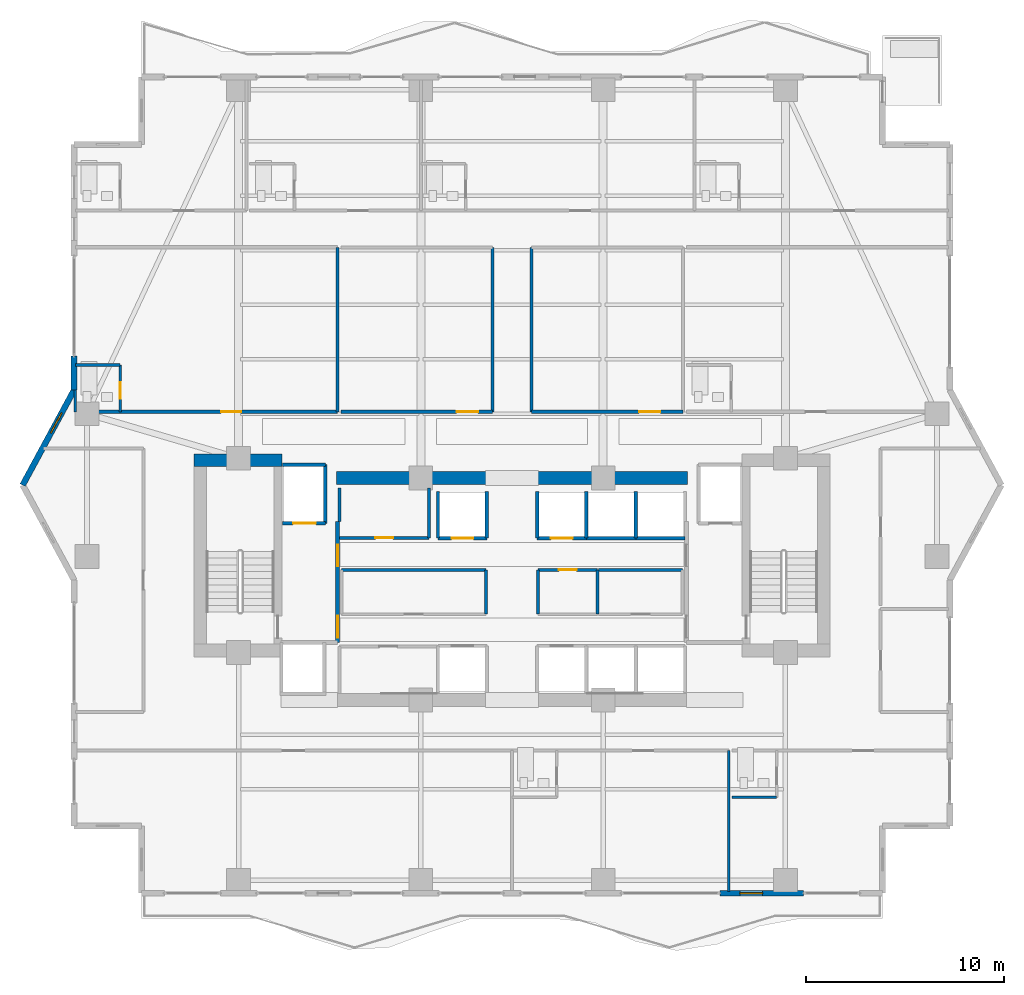
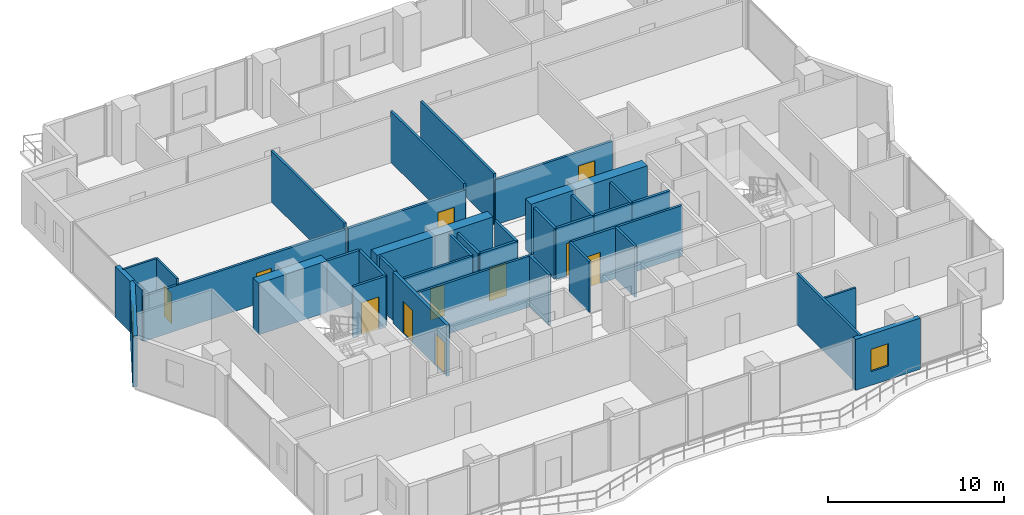
# One storey, part 26 of 33: 39 walls, 11 doors, 2 windows, 13 openings.
"""IFC4 building model written with IfcOpenShell, lengths in metres."""

from ifc_helpers import new_model, si_unit, direction, frame, frame_2d, origin, place, context, subcontext, project, spatial, rectangle, extrude, material, layer, layer_set, type_object, element, fill, save


model = new_model("IFC4")

# Units and contexts
model_context = context("Model", 3, precision=1e-05, world=origin(), true_north=direction((0.0, 1.0)))
body_context = subcontext(model_context, "Body", "Model", "MODEL_VIEW")
ifc_project = project(units=[si_unit("LENGTHUNIT", "METRE"), si_unit("AREAUNIT", "SQUARE_METRE"), si_unit("VOLUMEUNIT", "CUBIC_METRE"), si_unit("PLANEANGLEUNIT", "RADIAN"), si_unit("MASSUNIT", "GRAM", prefix="KILO")], contexts=[model_context])

# Site, building, storey
site_placement = place(None, origin())
site = spatial("IfcSite", under=ifc_project, at=site_placement, CompositionType="ELEMENT")
building_placement = place(site_placement, origin())
building = spatial("IfcBuilding", under=site, at=building_placement, Name="Zuhayl Quay Hotel", CompositionType="ELEMENT")
storey_placement = place(building_placement, frame((0.0, 0.0, 214.89990234375)))
storey = spatial("IfcBuildingStorey", under=building, at=storey_placement, Name="L54", CompositionType="ELEMENT", Elevation=214.89990234375)

# Walls
ifc_material_1 = material(Name="Concrete C50/60", Category="concrete")
ifc_layer_1 = layer(ifc_material_1, 0.64990234375, Name="Concrete C50/60", Category="concrete")
ifc_layer_set_1 = layer_set([ifc_layer_1], Name="Concrete C50/60")
wall_type_1 = type_object("IfcWallType", Name="WL_CORE_650", PredefinedType="SHEAR", material=ifc_layer_set_1)
wall_1_placement = place(storey_placement, frame((-16.06005859375, 14.2548828125, 0.0), z_axis=(0.0, 0.0, 1.0), x_axis=(1.0, 0.0, 0.0)))
element("IfcWall", 1, at=wall_1_placement, inside=storey, type_object=wall_type_1, Name="L54 Core Shear Wall CW_NW", PredefinedType="SHEAR", context=body_context, shape_type="SweptSolid", body=[
    extrude(rectangle(XDim=4.4599609375, YDim=0.64990234375, at=frame_2d((2.22998046875, 0.0))), origin(), (0.0, 0.0, 1.0), 3.56005859375),
])
for number, where, z_axis, x_axis, name in (
    (2, (-8.85009765625, 13.35009765625, 0.0), (0.0, 0.0, 1.0), (1.0, 0.0, 0.0), "L54 Core Shear Wall CW_NC_W"),
    (3, (1.25, 13.35009765625, 0.0), (0.0, 0.0, 1.0), (1.0, 0.0, 0.0), "L54 Core Shear Wall CW_NC_E"),
):
    element("IfcWall", number, at=place(storey_placement, frame(where, z_axis=z_axis, x_axis=x_axis)), inside=storey, type_object=wall_type_1, Name=name, PredefinedType="SHEAR", context=body_context, shape_type="SweptSolid", body=[
        extrude(rectangle(XDim=7.60009765625, YDim=0.64990234375, at=frame_2d((3.800048828125, 0.0))), origin(), (0.0, 0.0, 1.0), 3.530029296875),
    ])

# Wall, opening, window
ifc_material_2 = material(Name="Precast concrete C45/55", Category="concrete")
ifc_layer_2 = layer(ifc_material_2, 0.300048828125, Name="Precast concrete C45/55", Category="concrete")
ifc_layer_set_2 = layer_set([ifc_layer_2], Name="Precast concrete C45/55")
wall_type_2 = type_object("IfcWallType", Name="WL_EXT_300", PredefinedType="STANDARD", material=ifc_layer_set_2)
wall_2_placement = place(storey_placement, frame((-24.699951171875, 13.0, 0.0), z_axis=(0.0, 0.0, 1.0), x_axis=(0.476258655584, 0.879305233114, 0.0)))
wall_2 = element("IfcWall", 4, at=wall_2_placement, inside=storey, type_object=wall_type_2, Name="L54 Exterior Precast Wall ENV_L54_EW04", PredefinedType="STANDARD", context=body_context, shape_type="SweptSolid", body=[
    extrude(rectangle(XDim=5.458984375, YDim=0.300048828125, at=frame_2d((2.7294921875, 0.0))), origin(), (0.0, 0.0, 1.0), 3.530029296875),
])
opening_1_placement = place(wall_2_placement, frame((2.9931640625, 0.0, 1.25)))
opening_1 = element("IfcOpeningElement", 5, at=opening_1_placement, cuts=wall_2, Name="Opening W01N", PredefinedType="OPENING", context=body_context, shape_type="SweptSolid", body=[
    extrude(rectangle(XDim=1.14990234375, YDim=1.550048828125, at=frame_2d((0.574951171875, 0.77490234375))), frame((0.0, 0.159912109375, 0.0), z_axis=(0.0, -1.0, 0.0), x_axis=(1.0, 0.0, 0.0)), (0.0, 0.0, 1.0), 0.320068359375),
])
ifc_material_3 = material(Name="Dark Ceramic-Fritted Solar Glass", Category="glass")
window_type = type_object("IfcWindowType", Name="WN_NOTCH_1350", PartitioningType="SINGLE_PANEL", PredefinedType="WINDOW", material=ifc_material_3)
window_1_placement = place(opening_1_placement, origin())
window_1 = element("IfcWindow", 6, at=window_1_placement, inside=storey, type_object=window_type, Name="L54 Corner Notch Window 4", OverallHeight=1.550048828125, OverallWidth=1.14990234375, PartitioningType="SINGLE_PANEL", PredefinedType="WINDOW", context=body_context, shape_type="SweptSolid", body=[
    extrude(rectangle(XDim=1.14990234375, YDim=1.550048828125, at=frame_2d((0.574951171875, 0.77490234375))), frame((0.0, 0.030029296875, 0.0), z_axis=(0.0, -1.0, 0.0), x_axis=(1.0, 0.0, 0.0)), (0.0, 0.0, 1.0), 0.06005859375),
])
fill(opening_1, window_1)

# Wall
wall_3_placement = place(storey_placement, frame((-22.10009765625, 17.800048828125, 0.0), z_axis=(0.0, 0.0, 1.0), x_axis=(0.0, 1.0, 0.0)))
element("IfcWall", 7, at=wall_3_placement, inside=storey, type_object=wall_type_2, Name="L54 Exterior Precast Wall ENV_L54_E05_EW1", PredefinedType="STANDARD", context=body_context, shape_type="SweptSolid", body=[
    extrude(rectangle(XDim=1.7099609375, YDim=0.300048828125, at=frame_2d((0.85498046875, 0.0))), origin(), (0.0, 0.0, 1.0), 3.530029296875),
])

# Wall, opening, window
wall_4_placement = place(storey_placement, frame((14.719970703125, -7.60009765625, 0.0), z_axis=(0.0, 0.0, 1.0), x_axis=(-1.0, 0.0, 0.0)))
wall_4 = element("IfcWall", 8, at=wall_4_placement, inside=storey, type_object=wall_type_2, Name="L54 Exterior Precast Wall ENV_L54_S_EW2", PredefinedType="STANDARD", context=body_context, shape_type="SweptSolid", body=[
    extrude(rectangle(XDim=4.22998046875, YDim=0.300048828125, at=frame_2d((2.114990234375, 0.0))), origin(), (0.0, 0.0, 1.0), 3.530029296875),
])
opening_2_placement = place(wall_4_placement, frame((2.06494140625, 0.0, 0.949951171875)))
opening_2 = element("IfcOpeningElement", 9, at=opening_2_placement, cuts=wall_4, Name="Opening W01N", PredefinedType="OPENING", context=body_context, shape_type="SweptSolid", body=[
    extrude(rectangle(XDim=1.14990234375, YDim=1.550048828125, at=frame_2d((0.574951171875, 0.77490234375))), frame((0.0, 0.159912109375, 0.0), z_axis=(0.0, -1.0, 0.0), x_axis=(1.0, 0.0, 0.0)), (0.0, 0.0, 1.0), 0.320068359375),
])
window_2_placement = place(opening_2_placement, origin())
window_2 = element("IfcWindow", 10, at=window_2_placement, inside=storey, type_object=window_type, Name="L54 Operable Facade Window 2-1", OverallHeight=1.550048828125, OverallWidth=1.14990234375, PartitioningType="SINGLE_PANEL", PredefinedType="WINDOW", context=body_context, shape_type="SweptSolid", body=[
    extrude(rectangle(XDim=1.14990234375, YDim=1.550048828125, at=frame_2d((0.574951171875, 0.77490234375))), frame((0.0, 0.030029296875, 0.0), z_axis=(0.0, -1.0, 0.0), x_axis=(1.0, 0.0, 0.0)), (0.0, 0.0, 1.0), 0.06005859375),
])
fill(opening_2, window_2)

# Wall, opening, door
ifc_material_4 = material(Name="Acoustic Gypsum Partition STC-58")
ifc_layer_3 = layer(ifc_material_4, 0.14990234375, Name="Acoustic Gypsum Partition STC-58")
ifc_layer_set_3 = layer_set([ifc_layer_3], Name="Acoustic Gypsum Partition STC-58")
wall_type_3 = type_object("IfcWallType", Name="WL_PART_150", PredefinedType="PARTITIONING", material=ifc_layer_set_3)
wall_5_placement = place(storey_placement, frame((-8.7099609375, 10.340087890625, 0.0), z_axis=(0.0, 0.0, 1.0), x_axis=(1.0, 0.0, 0.0)))
wall_5 = element("IfcWall", 11, at=wall_5_placement, inside=storey, type_object=wall_type_3, Name="L54 Partition IW_L54_FLP_N_S", PredefinedType="PARTITIONING", context=body_context, shape_type="SweptSolid", body=[
    extrude(rectangle(XDim=4.52001953125, YDim=0.14990234375, at=frame_2d((2.260009765625, 0.0))), origin(), (0.0, 0.0, 1.0), 3.530029296875),
])
opening_3_placement = place(wall_5_placement, frame((1.81005859375, 0.0, 0.0)))
opening_3 = element("IfcOpeningElement", 12, at=opening_3_placement, cuts=wall_5, Name="Opening D06", PredefinedType="OPENING", context=body_context, shape_type="SweptSolid", body=[
    extrude(rectangle(XDim=0.89990234375, YDim=2.14990234375, at=frame_2d((0.449951171875, 1.074951171875))), frame((0.0, 0.0849609375, 0.0), z_axis=(0.0, -1.0, 0.0), x_axis=(1.0, 0.0, 0.0)), (0.0, 0.0, 1.0), 0.169921875),
])
ifc_material_5 = material(Name="Steel ASTM A992 Grade 50", Category="steel")
door_type_1 = type_object("IfcDoorType", Name="DR_INT_900", OperationType="NOTDEFINED", PredefinedType="DOOR", material=ifc_material_5)
door_1_placement = place(opening_3_placement, origin())
door_1 = element("IfcDoor", 13, at=door_1_placement, inside=storey, type_object=door_type_1, Name="L54 Linen Store West Door", OperationType="SINGLE_SWING_LEFT", OverallHeight=2.14990234375, OverallWidth=0.89990234375, PredefinedType="DOOR", context=body_context, shape_type="SweptSolid", body=[
    extrude(rectangle(XDim=0.89990234375, YDim=2.14990234375, at=frame_2d((0.449951171875, 1.074951171875))), frame((0.0, 0.02490234375, 0.0), z_axis=(0.0, -1.0, 0.0), x_axis=(1.0, 0.0, 0.0)), (0.0, 0.0, 1.0), 0.050048828125),
])
fill(opening_3, door_1)

wall_6_placement = place(storey_placement, frame((1.320068359375, 8.719970703125, 0.0), z_axis=(0.0, 0.0, 1.0), x_axis=(1.0, 0.0, 0.0)))
wall_6 = element("IfcWall", 14, at=wall_6_placement, inside=storey, type_object=wall_type_3, Name="L54 Partition IW_L54_CORE_IT_N", PredefinedType="PARTITIONING", context=body_context, shape_type="SweptSolid", body=[
    extrude(rectangle(XDim=2.989990234375, YDim=0.14990234375, at=frame_2d((1.4951171875, 0.0))), origin(), (0.0, 0.0, 1.0), 3.530029296875),
])
opening_4_placement = place(wall_6_placement, frame((1.044921875, 0.0, 0.0)))
opening_4 = element("IfcOpeningElement", 15, at=opening_4_placement, cuts=wall_6, Name="Opening D06", PredefinedType="OPENING", context=body_context, shape_type="SweptSolid", body=[
    extrude(rectangle(XDim=0.89990234375, YDim=2.14990234375, at=frame_2d((0.449951171875, 1.074951171875))), frame((0.0, 0.0849609375, 0.0), z_axis=(0.0, -1.0, 0.0), x_axis=(1.0, 0.0, 0.0)), (0.0, 0.0, 1.0), 0.169921875),
])
door_2_placement = place(opening_4_placement, origin())
door_2 = element("IfcDoor", 16, at=door_2_placement, inside=storey, type_object=door_type_1, Name="L54 Telecom Closet Door", OperationType="SINGLE_SWING_LEFT", OverallHeight=2.14990234375, OverallWidth=0.89990234375, PredefinedType="DOOR", context=body_context, shape_type="SweptSolid", body=[
    extrude(rectangle(XDim=0.89990234375, YDim=2.14990234375, at=frame_2d((0.449951171875, 1.074951171875))), frame((0.0, 0.02490234375, 0.0), z_axis=(0.0, -1.0, 0.0), x_axis=(1.0, 0.0, 0.0)), (0.0, 0.0, 1.0), 0.050048828125),
])
fill(opening_4, door_2)

# Walls
wall_7_placement = place(storey_placement, frame((-8.7099609375, 11.14990234375, 0.0), z_axis=(0.0, 0.0, 1.0), x_axis=(0.0, 1.0, 0.0)))
element("IfcWall", 17, at=wall_7_placement, inside=storey, type_object=wall_type_3, Name="L54 Partition IW_L54_FLP_N_W", PredefinedType="PARTITIONING", context=body_context, shape_type="SweptSolid", body=[
    extrude(rectangle(XDim=1.710205078125, YDim=0.14990234375, at=frame_2d((0.85498046875, 0.0))), origin(), (0.0, 0.0, 1.0), 3.530029296875),
])
wall_8_placement = place(storey_placement, frame((-4.18994140625, 10.340087890625, 0.0), z_axis=(0.0, 0.0, 1.0), x_axis=(0.0, 1.0, 0.0)))
element("IfcWall", 18, at=wall_8_placement, inside=storey, type_object=wall_type_3, Name="L54 Partition IW_L54_FLP_N_E", PredefinedType="PARTITIONING", context=body_context, shape_type="SweptSolid", body=[
    extrude(rectangle(XDim=2.52001953125, YDim=0.14990234375, at=frame_2d((1.260009765625, 0.0))), origin(), (0.0, 0.0, 1.0), 3.530029296875),
])
wall_9_placement = place(storey_placement, frame((-8.610107421875, 8.719970703125, 0.0), z_axis=(0.0, 0.0, 1.0), x_axis=(1.0, 0.0, 0.0)))
element("IfcWall", 19, at=wall_9_placement, inside=storey, type_object=wall_type_3, Name="L54 Partition IW_L54_CORE_EL_N", PredefinedType="PARTITIONING", context=body_context, shape_type="SweptSolid", body=[
    extrude(rectangle(XDim=7.2900390625, YDim=0.14990234375, at=frame_2d((3.64501953125, 0.0))), origin(), (0.0, 0.0, 1.0), 3.530029296875),
])
for number, where, z_axis, x_axis, name in (
    (20, (-1.320068359375, 6.47998046875, 0.0), (0.0, 0.0, 1.0), (0.0, 1.0, 0.0), "L54 Partition IW_L54_CORE_EL_E"),
    (21, (1.320068359375, 6.47998046875, 0.0), (0.0, 0.0, 1.0), (0.0, 1.0, 0.0), "L54 Partition IW_L54_CORE_IT_W"),
    (22, (4.31005859375, 6.47998046875, 0.0), (0.0, 0.0, 1.0), (0.0, 1.0, 0.0), "L54 Partition IW_L54_CORE_IT_E"),
):
    element("IfcWall", number, at=place(storey_placement, frame(where, z_axis=z_axis, x_axis=x_axis)), inside=storey, type_object=wall_type_3, Name=name, PredefinedType="PARTITIONING", context=body_context, shape_type="SweptSolid", body=[
        extrude(rectangle(XDim=2.239990234375, YDim=0.14990234375, at=frame_2d((1.1201171875, 0.0))), origin(), (0.0, 0.0, 1.0), 3.530029296875),
    ])
wall_10_placement = place(storey_placement, frame((4.3701171875, 8.719970703125, 0.0), z_axis=(0.0, 0.0, 1.0), x_axis=(1.0, 0.0, 0.0)))
element("IfcWall", 23, at=wall_10_placement, inside=storey, type_object=wall_type_3, Name="L54 Partition IW_L54_CORE_LN_N", PredefinedType="PARTITIONING", context=body_context, shape_type="SweptSolid", body=[
    extrude(rectangle(XDim=4.239990234375, YDim=0.14990234375, at=frame_2d((2.1201171875, 0.0))), origin(), (0.0, 0.0, 1.0), 3.530029296875),
])
for number, where, z_axis, x_axis, name in (
    (24, (-8.800048828125, 16.699951171875, 0.0), (0.0, 0.0, 1.0), (0.0, 1.0, 0.0), "L54 Partition IW_L54_MU01_E"),
    (25, (-0.97998046875, 16.699951171875, 0.0), (0.0, 0.0, 1.0), (0.0, 1.0, 0.0), "L54 Partition IW_L54_Z3_MID_W_E"),
    (26, (0.97998046875, 16.699951171875, 0.0), (0.0, 0.0, 1.0), (0.0, 1.0, 0.0), "L54 Partition IW_L54_Z3_MID_E_W"),
):
    element("IfcWall", number, at=place(storey_placement, frame(where, z_axis=z_axis, x_axis=x_axis)), inside=storey, type_object=wall_type_3, Name=name, PredefinedType="PARTITIONING", context=body_context, shape_type="SweptSolid", body=[
        extrude(rectangle(XDim=8.300048828125, YDim=0.14990234375, at=frame_2d((4.14990234375, 0.0))), origin(), (0.0, 0.0, 1.0), 3.530029296875),
    ])
wall_11_placement = place(storey_placement, frame((10.93994140625, -7.52001953125, 0.0), z_axis=(0.0, 0.0, 1.0), x_axis=(0.0, 1.0, 0.0)))
element("IfcWall", 27, at=wall_11_placement, inside=storey, type_object=wall_type_3, Name="L54 Partition IW_L54_SU02A_E", PredefinedType="PARTITIONING", context=body_context, shape_type="SweptSolid", body=[
    extrude(rectangle(XDim=7.1201171875, YDim=0.14990234375, at=frame_2d((3.56005859375, 0.0))), origin(), (0.0, 0.0, 1.0), 3.530029296875),
])

# Wall, opening, door
ifc_layer_4 = layer(ifc_material_4, 0.159912109375, Name="Acoustic Gypsum Partition STC-58")
ifc_layer_set_4 = layer_set([ifc_layer_4], Name="Acoustic Gypsum Partition STC-58")
wall_type_4 = type_object("IfcWallType", Name="WL_PART_CORR_160", PredefinedType="PARTITIONING", material=ifc_layer_set_4)
wall_12_placement = place(storey_placement, frame((-22.0400390625, 16.699951171875, 0.0), z_axis=(0.0, 0.0, 1.0), x_axis=(1.0, 0.0, 0.0)))
wall_12 = element("IfcWall", 28, at=wall_12_placement, inside=storey, type_object=wall_type_4, Name="L54 Partition IW_L54_MU01_COR", PredefinedType="PARTITIONING", context=body_context, shape_type="SweptSolid", body=[
    extrude(rectangle(XDim=13.239990234375, YDim=0.159912109375, at=frame_2d((6.6201171875, 0.0))), origin(), (0.0, 0.0, 1.0), 3.1240234375),
])
opening_5_placement = place(wall_12_placement, frame((7.364990234375, 0.0, 0.0)))
opening_5 = element("IfcOpeningElement", 29, at=opening_5_placement, cuts=wall_12, Name="Opening D03L", PredefinedType="OPENING", context=body_context, shape_type="SweptSolid", body=[
    extrude(rectangle(XDim=1.0, YDim=2.14990234375, at=frame_2d((0.5, 1.074951171875))), frame((0.0, 0.08984375, 0.0), z_axis=(0.0, -1.0, 0.0), x_axis=(1.0, 0.0, 0.0)), (0.0, 0.0, 1.0), 0.179931640625),
])
ifc_material_6 = material(Name="Solid Walnut Acoustic Fire Door")
door_type_2 = type_object("IfcDoorType", Name="DR_SUITE_1000", OperationType="NOTDEFINED", PredefinedType="DOOR", material=ifc_material_6)
door_3_placement = place(opening_5_placement, origin())
door_3 = element("IfcDoor", 30, at=door_3_placement, inside=storey, type_object=door_type_2, Name="L54 Club Junior Suite L54-M1 Entrance Door", OperationType="SINGLE_SWING_RIGHT", OverallHeight=2.14990234375, OverallWidth=1.0, PredefinedType="DOOR", context=body_context, shape_type="SweptSolid", body=[
    extrude(rectangle(XDim=1.0, YDim=2.14990234375, at=frame_2d((0.5, 1.074951171875))), frame((0.0, 0.02490234375, 0.0), z_axis=(0.0, -1.0, 0.0), x_axis=(1.0, 0.0, 0.0)), (0.0, 0.0, 1.0), 0.050048828125),
])
fill(opening_5, door_3)

wall_13_placement = place(storey_placement, frame((-8.639892578125, 16.699951171875, 0.0), z_axis=(0.0, 0.0, 1.0), x_axis=(1.0, 0.0, 0.0)))
wall_13 = element("IfcWall", 31, at=wall_13_placement, inside=storey, type_object=wall_type_4, Name="L54 Partition IW_L54_Z3_MID_W_S", PredefinedType="PARTITIONING", context=body_context, shape_type="SweptSolid", body=[
    extrude(rectangle(XDim=7.659912109375, YDim=0.159912109375, at=frame_2d((3.830078125, 0.0))), origin(), (0.0, 0.0, 1.0), 3.1240234375),
])
opening_6_placement = place(wall_13_placement, frame((5.85009765625, 0.0, 0.0)))
opening_6 = element("IfcOpeningElement", 32, at=opening_6_placement, cuts=wall_13, Name="Opening D05A", PredefinedType="OPENING", context=body_context, shape_type="SweptSolid", body=[
    extrude(rectangle(XDim=1.080078125, YDim=2.179931640625, at=frame_2d((0.5400390625, 1.08984375))), frame((0.0, 0.08984375, 0.0), z_axis=(0.0, -1.0, 0.0), x_axis=(1.0, 0.0, 0.0)), (0.0, 0.0, 1.0), 0.179931640625),
])
door_type_3 = type_object("IfcDoorType", Name="DR_INT_1100", OperationType="NOTDEFINED", PredefinedType="DOOR", material=ifc_material_6)
door_4_placement = place(opening_6_placement, origin())
door_4 = element("IfcDoor", 33, at=door_4_placement, inside=storey, type_object=door_type_3, Name="L54 Curated Art Library Door", OperationType="SINGLE_SWING_LEFT", OverallHeight=2.179931640625, OverallWidth=1.080078125, PredefinedType="DOOR", context=body_context, shape_type="SweptSolid", body=[
    extrude(rectangle(XDim=1.080078125, YDim=2.179931640625, at=frame_2d((0.5400390625, 1.08984375))), frame((0.0, 0.02490234375, 0.0), z_axis=(0.0, -1.0, 0.0), x_axis=(1.0, 0.0, 0.0)), (0.0, 0.0, 1.0), 0.050048828125),
])
fill(opening_6, door_4)

wall_14_placement = place(storey_placement, frame((0.97998046875, 16.699951171875, 0.0), z_axis=(0.0, 0.0, 1.0), x_axis=(1.0, 0.0, 0.0)))
wall_14 = element("IfcWall", 34, at=wall_14_placement, inside=storey, type_object=wall_type_4, Name="L54 Partition IW_L54_Z3_MID_E_S", PredefinedType="PARTITIONING", context=body_context, shape_type="SweptSolid", body=[
    extrude(rectangle(XDim=7.659912109375, YDim=0.159912109375, at=frame_2d((3.830078125, 0.0))), origin(), (0.0, 0.0, 1.0), 3.1240234375),
])
opening_7_placement = place(wall_14_placement, frame((5.429931640625, 0.0, 0.0)))
opening_7 = element("IfcOpeningElement", 35, at=opening_7_placement, cuts=wall_14, Name="Opening D05A", PredefinedType="OPENING", context=body_context, shape_type="SweptSolid", body=[
    extrude(rectangle(XDim=1.080078125, YDim=2.179931640625, at=frame_2d((0.5400390625, 1.08984375))), frame((0.0, 0.08984375, 0.0), z_axis=(0.0, -1.0, 0.0), x_axis=(1.0, 0.0, 0.0)), (0.0, 0.0, 1.0), 0.179931640625),
])
door_5_placement = place(opening_7_placement, origin())
door_5 = element("IfcDoor", 36, at=door_5_placement, inside=storey, type_object=door_type_3, Name="L54 Horizon Screening Salon Door", OperationType="SINGLE_SWING_RIGHT", OverallHeight=2.179931640625, OverallWidth=1.080078125, PredefinedType="DOOR", context=body_context, shape_type="SweptSolid", body=[
    extrude(rectangle(XDim=1.080078125, YDim=2.179931640625, at=frame_2d((0.5400390625, 1.08984375))), frame((0.0, 0.02490234375, 0.0), z_axis=(0.0, -1.0, 0.0), x_axis=(1.0, 0.0, 0.0)), (0.0, 0.0, 1.0), 0.050048828125),
])
fill(opening_7, door_5)

ifc_material_7 = material(Name="Moisture-Resistant Sanitarychase Gypsum")
ifc_layer_5 = layer(ifc_material_7, 0.135009765625, Name="Moisture-Resistant Sanitarychase Gypsum")
ifc_layer_set_5 = layer_set([ifc_layer_5], Name="Moisture-Resistant Sanitarychase Gypsum")
wall_type_5 = type_object("IfcWallType", Name="WL_PART_PLUMB_150", PredefinedType="PLUMBINGWALL", material=ifc_layer_set_5)
wall_15_placement = place(storey_placement, frame((-19.780029296875, 16.699951171875, 0.0), z_axis=(0.0, 0.0, 1.0), x_axis=(0.0, 1.0, 0.0)))
wall_15 = element("IfcWall", 37, at=wall_15_placement, inside=storey, type_object=wall_type_5, Name="L54 Partition IW_L54_MU01_BE", PredefinedType="PLUMBINGWALL", context=body_context, shape_type="SweptSolid", body=[
    extrude(rectangle(XDim=2.360107421875, YDim=0.135009765625, at=frame_2d((1.18017578125, 0.0))), origin(), (0.0, 0.0, 1.0), 3.530029296875),
])
opening_8_placement = place(wall_15_placement, frame((0.64990234375, 0.0, 0.0)))
opening_8 = element("IfcOpeningElement", 38, at=opening_8_placement, cuts=wall_15, Name="Opening D04", PredefinedType="OPENING", context=body_context, shape_type="SweptSolid", body=[
    extrude(rectangle(XDim=0.85009765625, YDim=2.10009765625, at=frame_2d((0.425048828125, 1.050048828125))), frame((0.0, 0.077392578125, 0.0), z_axis=(0.0, -1.0, 0.0), x_axis=(1.0, 0.0, 0.0)), (0.0, 0.0, 1.0), 0.155029296875),
])
ifc_material_8 = material(Name="Moisture-Resistant Walnut Veneer")
door_type_4 = type_object("IfcDoorType", Name="DR_BATH_850", OperationType="NOTDEFINED", PredefinedType="DOOR", material=ifc_material_8)
door_6_placement = place(opening_8_placement, origin())
door_6 = element("IfcDoor", 39, at=door_6_placement, inside=storey, type_object=door_type_4, Name="L54 Club Junior Suite L54-M1 En-Suite Door", OperationType="SINGLE_SWING_LEFT", OverallHeight=2.10009765625, OverallWidth=0.85009765625, PredefinedType="DOOR", context=body_context, shape_type="SweptSolid", body=[
    extrude(rectangle(XDim=0.85009765625, YDim=2.10009765625, at=frame_2d((0.425048828125, 1.050048828125))), frame((0.0, 0.02490234375, 0.0), z_axis=(0.0, -1.0, 0.0), x_axis=(1.0, 0.0, 0.0)), (0.0, 0.0, 1.0), 0.050048828125),
])
fill(opening_8, door_6)

# Walls
wall_16_placement = place(storey_placement, frame((-22.0400390625, 19.06005859375, 0.0), z_axis=(0.0, 0.0, 1.0), x_axis=(1.0, 0.0, 0.0)))
element("IfcWall", 40, at=wall_16_placement, inside=storey, type_object=wall_type_5, Name="L54 Partition IW_L54_MU01_BN", PredefinedType="PLUMBINGWALL", context=body_context, shape_type="SweptSolid", body=[
    extrude(rectangle(XDim=2.260009765625, YDim=0.135009765625, at=frame_2d((1.1298828125, 0.0))), origin(), (0.0, 0.0, 1.0), 3.530029296875),
])
wall_17_placement = place(storey_placement, frame((-22.0400390625, 16.699951171875, 0.0), z_axis=(0.0, 0.0, 1.0), x_axis=(0.0, 1.0, 0.0)))
element("IfcWall", 41, at=wall_17_placement, inside=storey, type_object=wall_type_5, Name="L54 Partition IW_L54_MU01_BW", PredefinedType="PLUMBINGWALL", context=body_context, shape_type="SweptSolid", body=[
    extrude(rectangle(XDim=1.10009765625, YDim=0.135009765625, at=frame_2d((0.550048828125, 0.0))), origin(), (0.0, 0.0, 1.0), 3.530029296875),
])
wall_18_placement = place(storey_placement, frame((11.10009765625, -2.760009765625, 0.0), z_axis=(0.0, 0.0, 1.0), x_axis=(1.0, 0.0, 0.0)))
element("IfcWall", 42, at=wall_18_placement, inside=storey, type_object=wall_type_5, Name="L54 Partition IW_L54_SU02B_BS", PredefinedType="PLUMBINGWALL", context=body_context, shape_type="SweptSolid", body=[
    extrude(rectangle(XDim=2.260009765625, YDim=0.135009765625, at=frame_2d((1.1298828125, 0.0))), origin(), (0.0, 0.0, 1.0), 3.1240234375),
])

# Wall, opening, door
ifc_material_9 = material(Name="Gypsum Fireboard Assembly EI-90")
ifc_layer_6 = layer(ifc_material_9, 0.1650390625, Name="Gypsum Fireboard Assembly EI-90")
ifc_layer_set_6 = layer_set([ifc_layer_6], Name="Gypsum Fireboard Assembly EI-90")
wall_type_6 = type_object("IfcWallType", Name="WL_PART_SHAFT_160", PredefinedType="PARTITIONING", material=ifc_layer_set_6)
wall_19_placement = place(storey_placement, frame((-11.580078125, 11.070068359375, 0.0), z_axis=(0.0, 0.0, 1.0), x_axis=(1.0, 0.0, 0.0)))
wall_19 = element("IfcWall", 43, at=wall_19_placement, inside=storey, type_object=wall_type_6, Name="L54 Partition IW_L54_SH_FL1_F", PredefinedType="PARTITIONING", context=body_context, shape_type="SweptSolid", body=[
    extrude(rectangle(XDim=2.16015625, YDim=0.1650390625, at=frame_2d((1.080078125, 0.0))), origin(), (0.0, 0.0, 1.0), 3.530029296875),
])
opening_9_placement = place(wall_19_placement, frame((0.530029296875, 0.0, 0.0)))
opening_9 = element("IfcOpeningElement", 44, at=opening_9_placement, cuts=wall_19, Name="Opening LD2", PredefinedType="OPENING", context=body_context, shape_type="SweptSolid", body=[
    extrude(rectangle(XDim=1.14990234375, YDim=2.25, at=frame_2d((0.574951171875, 1.125))), frame((0.0, 0.092529296875, 0.0), z_axis=(0.0, -1.0, 0.0), x_axis=(1.0, 0.0, 0.0)), (0.0, 0.0, 1.0), 0.18505859375),
])
ifc_material_10 = material(Name="Brushed Stainless Steel", Category="steel")
door_type_5 = type_object("IfcDoorType", Name="DR_LIFT_FF_1100", OperationType="SLIDING_TO_LEFT", PredefinedType="DOOR", material=ifc_material_10)
door_7_placement = place(opening_9_placement, origin())
door_7 = element("IfcDoor", 45, at=door_7_placement, inside=storey, type_object=door_type_5, Name="L54 Lift FL1 Sliding Landing Door", OperationType="SLIDING_TO_LEFT", OverallHeight=2.25, OverallWidth=1.14990234375, PredefinedType="DOOR", context=body_context, shape_type="SweptSolid", body=[
    extrude(rectangle(XDim=1.14990234375, YDim=2.25, at=frame_2d((0.574951171875, 1.125))), frame((0.0, 0.02490234375, 0.0), z_axis=(0.0, -1.0, 0.0), x_axis=(1.0, 0.0, 0.0)), (0.0, 0.0, 1.0), 0.050048828125),
])
fill(opening_9, door_7)

wall_20_placement = place(storey_placement, frame((-3.72998046875, 10.320068359375, 0.0), z_axis=(0.0, 0.0, 1.0), x_axis=(1.0, 0.0, 0.0)))
wall_20 = element("IfcWall", 46, at=wall_20_placement, inside=storey, type_object=wall_type_6, Name="L54 Partition IW_L54_SH_MP3_F", PredefinedType="PARTITIONING", context=body_context, shape_type="SweptSolid", body=[
    extrude(rectangle(XDim=2.4599609375, YDim=0.1650390625, at=frame_2d((1.22998046875, 0.0))), origin(), (0.0, 0.0, 1.0), 3.530029296875),
])
opening_10_placement = place(wall_20_placement, frame((0.679931640625, 0.0, 0.0)))
opening_10 = element("IfcOpeningElement", 47, at=opening_10_placement, cuts=wall_20, Name="Opening LD1", PredefinedType="OPENING", context=body_context, shape_type="SweptSolid", body=[
    extrude(rectangle(XDim=1.10009765625, YDim=2.25, at=frame_2d((0.550048828125, 1.125))), frame((0.0, 0.092529296875, 0.0), z_axis=(0.0, -1.0, 0.0), x_axis=(1.0, 0.0, 0.0)), (0.0, 0.0, 1.0), 0.18505859375),
])
door_type_6 = type_object("IfcDoorType", Name="DR_LIFT_PASS_1100", OperationType="SLIDING_TO_LEFT", PredefinedType="DOOR", material=ifc_material_10)
door_8_placement = place(opening_10_placement, origin())
door_8 = element("IfcDoor", 48, at=door_8_placement, inside=storey, type_object=door_type_6, Name="L54 Lift MP3 Sliding Landing Door", OperationType="SLIDING_TO_LEFT", OverallHeight=2.25, OverallWidth=1.10009765625, PredefinedType="DOOR", context=body_context, shape_type="SweptSolid", body=[
    extrude(rectangle(XDim=1.10009765625, YDim=2.25, at=frame_2d((0.550048828125, 1.125))), frame((0.0, 0.02490234375, 0.0), z_axis=(0.0, -1.0, 0.0), x_axis=(1.0, 0.0, 0.0)), (0.0, 0.0, 1.0), 0.050048828125),
])
fill(opening_10, door_8)

wall_21_placement = place(storey_placement, frame((1.27001953125, 10.320068359375, 0.0), z_axis=(0.0, 0.0, 1.0), x_axis=(1.0, 0.0, 0.0)))
wall_21 = element("IfcWall", 49, at=wall_21_placement, inside=storey, type_object=wall_type_6, Name="L54 Partition IW_L54_SH_MP4_F", PredefinedType="PARTITIONING", context=body_context, shape_type="SweptSolid", body=[
    extrude(rectangle(XDim=2.47998046875, YDim=0.1650390625, at=frame_2d((1.239990234375, 0.0))), origin(), (0.0, 0.0, 1.0), 3.530029296875),
])
opening_11_placement = place(wall_21_placement, frame((0.68994140625, 0.0, 0.0)))
opening_11 = element("IfcOpeningElement", 50, at=opening_11_placement, cuts=wall_21, Name="Opening LD1", PredefinedType="OPENING", context=body_context, shape_type="SweptSolid", body=[
    extrude(rectangle(XDim=1.10009765625, YDim=2.25, at=frame_2d((0.550048828125, 1.125))), frame((0.0, 0.092529296875, 0.0), z_axis=(0.0, -1.0, 0.0), x_axis=(1.0, 0.0, 0.0)), (0.0, 0.0, 1.0), 0.18505859375),
])
door_9_placement = place(opening_11_placement, origin())
door_9 = element("IfcDoor", 51, at=door_9_placement, inside=storey, type_object=door_type_6, Name="L54 Lift MP4 Sliding Landing Door", OperationType="SLIDING_TO_LEFT", OverallHeight=2.25, OverallWidth=1.10009765625, PredefinedType="DOOR", context=body_context, shape_type="SweptSolid", body=[
    extrude(rectangle(XDim=1.10009765625, YDim=2.25, at=frame_2d((0.550048828125, 1.125))), frame((0.0, 0.02490234375, 0.0), z_axis=(0.0, -1.0, 0.0), x_axis=(1.0, 0.0, 0.0)), (0.0, 0.0, 1.0), 0.050048828125),
])
fill(opening_11, door_9)

# Walls
wall_22_placement = place(storey_placement, frame((-9.419921875, 11.070068359375, 0.0), z_axis=(0.0, 0.0, 1.0), x_axis=(0.0, 1.0, 0.0)))
element("IfcWall", 52, at=wall_22_placement, inside=storey, type_object=wall_type_6, Name="L54 Partition IW_L54_SH_FL1_E", PredefinedType="PARTITIONING", context=body_context, shape_type="SweptSolid", body=[
    extrude(rectangle(XDim=2.9599609375, YDim=0.1650390625, at=frame_2d((1.47998046875, 0.0))), origin(), (0.0, 0.0, 1.0), 3.530029296875),
])
wall_23_placement = place(storey_placement, frame((-11.580078125, 14.030029296875, 0.0), z_axis=(0.0, 0.0, 1.0), x_axis=(1.0, 0.0, 0.0)))
element("IfcWall", 53, at=wall_23_placement, inside=storey, type_object=wall_type_6, Name="L54 Partition IW_L54_SH_FL1_B", PredefinedType="PARTITIONING", context=body_context, shape_type="SweptSolid", body=[
    extrude(rectangle(XDim=2.16015625, YDim=0.1650390625, at=frame_2d((1.080078125, 0.0))), origin(), (0.0, 0.0, 1.0), 3.530029296875),
])
for number, where, z_axis, x_axis, name in (
    (54, (-3.72998046875, 10.320068359375, 0.0), (0.0, 0.0, 1.0), (0.0, 1.0, 0.0), "L54 Partition IW_L54_SH_MP3_W"),
    (55, (-1.27001953125, 10.320068359375, 0.0), (0.0, 0.0, 1.0), (0.0, 1.0, 0.0), "L54 Partition IW_L54_SH_MP3_E"),
    (56, (1.27001953125, 10.320068359375, 0.0), (0.0, 0.0, 1.0), (0.0, 1.0, 0.0), "L54 Partition IW_L54_SH_MP4_W"),
    (57, (3.75, 10.320068359375, 0.0), (0.0, 0.0, 1.0), (0.0, 1.0, 0.0), "L54 Partition IW_L54_SH_MP4_E"),
):
    element("IfcWall", number, at=place(storey_placement, frame(where, z_axis=z_axis, x_axis=x_axis)), inside=storey, type_object=wall_type_6, Name=name, PredefinedType="PARTITIONING", context=body_context, shape_type="SweptSolid", body=[
        extrude(rectangle(XDim=2.35986328125, YDim=0.1650390625, at=frame_2d((1.179931640625, 0.0))), origin(), (0.0, 0.0, 1.0), 3.530029296875),
    ])
wall_24_placement = place(storey_placement, frame((3.75, 10.320068359375, 0.0), z_axis=(0.0, 0.0, 1.0), x_axis=(1.0, 0.0, 0.0)))
element("IfcWall", 58, at=wall_24_placement, inside=storey, type_object=wall_type_6, Name="L54 Partition IW_L54_SH_HP3_F", PredefinedType="PARTITIONING", context=body_context, shape_type="SweptSolid", body=[
    extrude(rectangle(XDim=2.5, YDim=0.1650390625, at=frame_2d((1.25, 0.0))), origin(), (0.0, 0.0, 1.0), 3.530029296875),
])
wall_25_placement = place(storey_placement, frame((6.25, 10.320068359375, 0.0), z_axis=(0.0, 0.0, 1.0), x_axis=(0.0, 1.0, 0.0)))
element("IfcWall", 59, at=wall_25_placement, inside=storey, type_object=wall_type_6, Name="L54 Partition IW_L54_SH_HP3_E", PredefinedType="PARTITIONING", context=body_context, shape_type="SweptSolid", body=[
    extrude(rectangle(XDim=2.35986328125, YDim=0.1650390625, at=frame_2d((1.179931640625, 0.0))), origin(), (0.0, 0.0, 1.0), 3.530029296875),
])
wall_26_placement = place(storey_placement, frame((6.25, 10.320068359375, 0.0), z_axis=(0.0, 0.0, 1.0), x_axis=(1.0, 0.0, 0.0)))
element("IfcWall", 60, at=wall_26_placement, inside=storey, type_object=wall_type_6, Name="L54 Partition IW_L54_SH_HP4_F", PredefinedType="PARTITIONING", context=body_context, shape_type="SweptSolid", body=[
    extrude(rectangle(XDim=2.47998046875, YDim=0.1650390625, at=frame_2d((1.239990234375, 0.0))), origin(), (0.0, 0.0, 1.0), 3.530029296875),
])

# Wall, openings, doors
ifc_material_11 = material(Name="Gypsum Fireboard Assembly EI-120")
ifc_layer_7 = layer(ifc_material_11, 0.199951171875, Name="Gypsum Fireboard Assembly EI-120")
ifc_layer_set_7 = layer_set([ifc_layer_7], Name="Gypsum Fireboard Assembly EI-120")
wall_type_7 = type_object("IfcWallType", Name="WL_PART_SHAFT_200", PredefinedType="PARTITIONING", material=ifc_layer_set_7)
wall_27_placement = place(storey_placement, frame((-8.800048828125, 5.050048828125, 0.0), z_axis=(0.0, 0.0, 1.0), x_axis=(0.0, 1.0, 0.0)))
wall_27 = element("IfcWall", 61, at=wall_27_placement, inside=storey, type_object=wall_type_7, Name="L54 Partition IW_L54_FSAE_W_E", PredefinedType="PARTITIONING", context=body_context, shape_type="SweptSolid", body=[
    extrude(rectangle(XDim=6.099853515625, YDim=0.199951171875, at=frame_2d((3.0498046875, 0.0))), origin(), (0.0, 0.0, 1.0), 3.530029296875),
])
opening_12_placement = place(wall_27_placement, frame((0.25, 0.0, 0.0)))
opening_12 = element("IfcOpeningElement", 62, at=opening_12_placement, cuts=wall_27, Name="Opening D02", PredefinedType="OPENING", context=body_context, shape_type="SweptSolid", body=[
    extrude(rectangle(XDim=1.10009765625, YDim=2.199951171875, at=frame_2d((0.550048828125, 1.10009765625))), frame((0.0, 0.10986328125, 0.0), z_axis=(0.0, -1.0, 0.0), x_axis=(1.0, 0.0, 0.0)), (0.0, 0.0, 1.0), 0.219970703125),
])
opening_13_placement = place(wall_27_placement, frame((3.85009765625, 0.0, 0.0)))
opening_13 = element("IfcOpeningElement", 63, at=opening_13_placement, cuts=wall_27, Name="Opening D02", PredefinedType="OPENING", context=body_context, shape_type="SweptSolid", body=[
    extrude(rectangle(XDim=1.10009765625, YDim=2.199951171875, at=frame_2d((0.550048828125, 1.10009765625))), frame((0.0, 0.10986328125, 0.0), z_axis=(0.0, -1.0, 0.0), x_axis=(1.0, 0.0, 0.0)), (0.0, 0.0, 1.0), 0.219970703125),
])
door_type_7 = type_object("IfcDoorType", Name="DR_FIRE_90_1100", OperationType="NOTDEFINED", PredefinedType="DOOR", material=ifc_material_5)
door_10_placement = place(opening_12_placement, origin())
door_10 = element("IfcDoor", 64, at=door_10_placement, inside=storey, type_object=door_type_7, Name="L54 FSAE Lobby West South Entry Door", OperationType="SINGLE_SWING_RIGHT", OverallHeight=2.199951171875, OverallWidth=1.10009765625, PredefinedType="DOOR", context=body_context, shape_type="SweptSolid", body=[
    extrude(rectangle(XDim=1.10009765625, YDim=2.199951171875, at=frame_2d((0.550048828125, 1.10009765625))), frame((0.0, 0.02490234375, 0.0), z_axis=(0.0, -1.0, 0.0), x_axis=(1.0, 0.0, 0.0)), (0.0, 0.0, 1.0), 0.050048828125),
])
fill(opening_12, door_10)
door_11_placement = place(opening_13_placement, origin())
door_11 = element("IfcDoor", 65, at=door_11_placement, inside=storey, type_object=door_type_7, Name="L54 FSAE Lobby West North Entry Door", OperationType="SINGLE_SWING_LEFT", OverallHeight=2.199951171875, OverallWidth=1.10009765625, PredefinedType="DOOR", context=body_context, shape_type="SweptSolid", body=[
    extrude(rectangle(XDim=1.10009765625, YDim=2.199951171875, at=frame_2d((0.550048828125, 1.10009765625))), frame((0.0, 0.02490234375, 0.0), z_axis=(0.0, -1.0, 0.0), x_axis=(1.0, 0.0, 0.0)), (0.0, 0.0, 1.0), 0.050048828125),
])
fill(opening_13, door_11)

save(model, "model.ifc")
